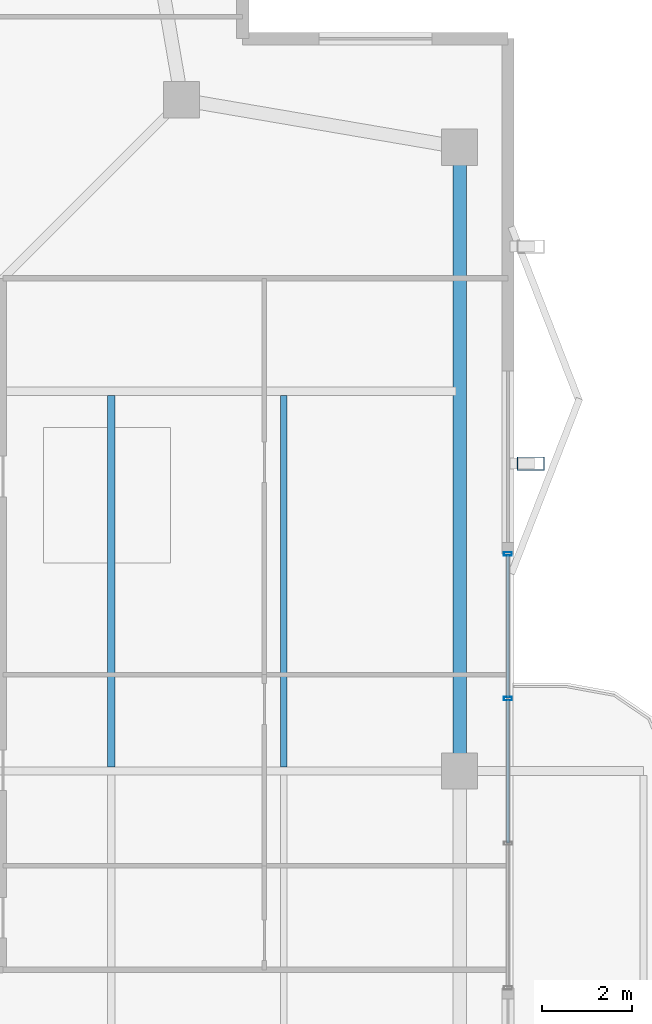
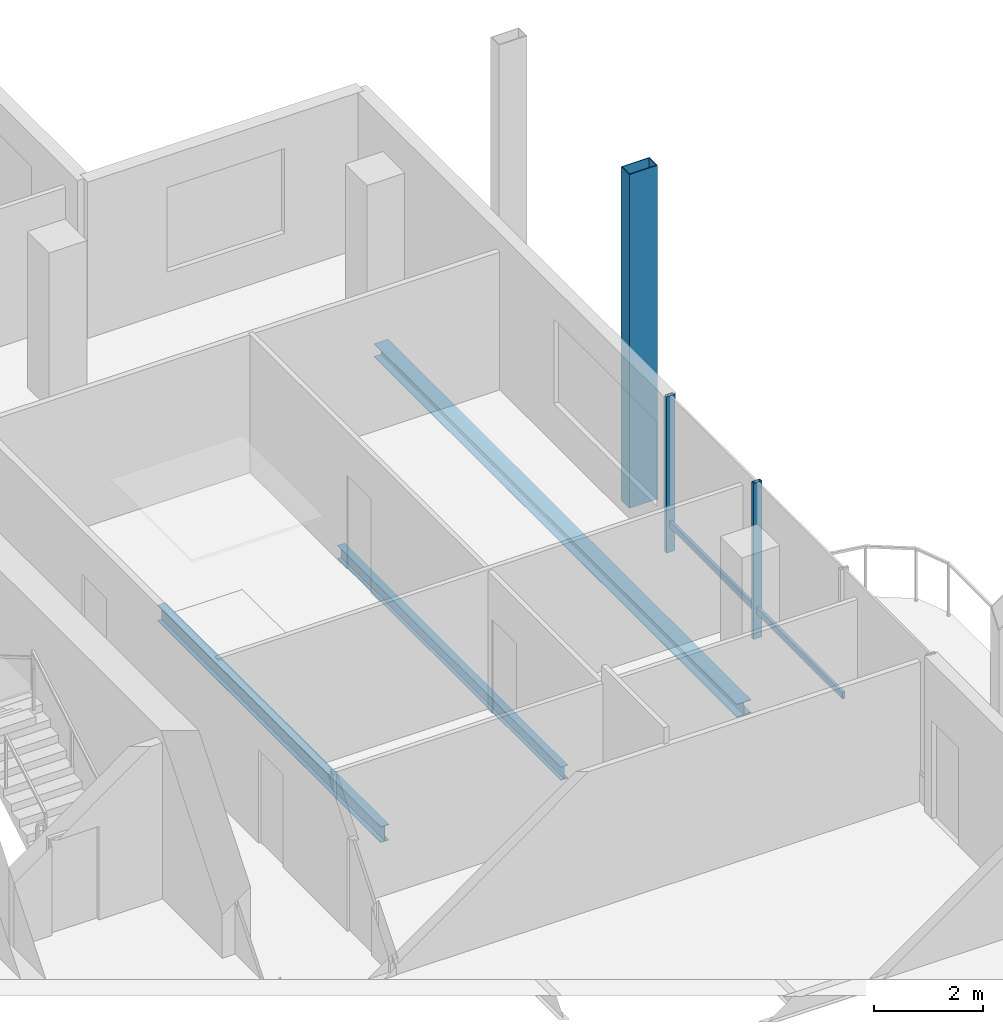
# One storey, part 10 of 22: 5 members, 3 beams, 1 element without a shape of its own.
"""IFC4 building model written with IfcOpenShell, lengths in metres."""

from ifc_helpers import new_model, si_unit, direction, frame, origin, origin_2d, place, context, subcontext, project, spatial, hollow_rectangle, i_section, extrude, material, layer, layer_set, material_profile, profile_set, type_object, element, aggregate, save


model = new_model("IFC4")

# Units and contexts
model_context = context("Model", 3, precision=1e-05, world=origin(), true_north=direction((0.0, 1.0)))
body_context = subcontext(model_context, "Body", "Model", "MODEL_VIEW")
ifc_project = project(units=[si_unit("LENGTHUNIT", "METRE"), si_unit("AREAUNIT", "SQUARE_METRE"), si_unit("VOLUMEUNIT", "CUBIC_METRE"), si_unit("PLANEANGLEUNIT", "RADIAN"), si_unit("MASSUNIT", "GRAM", prefix="KILO")], contexts=[model_context])

# Site, building, storey
site_placement = place(None, origin())
site = spatial("IfcSite", under=ifc_project, at=site_placement, CompositionType="ELEMENT")
building_placement = place(site_placement, origin())
building = spatial("IfcBuilding", under=site, at=building_placement, Name="Belovzor Exchange Tower", CompositionType="ELEMENT")
storey_placement = place(building_placement, frame((0.0, 0.0, 336.75)))
storey = spatial("IfcBuildingStorey", under=building, at=storey_placement, Name="L84", CompositionType="ELEMENT", Elevation=336.75)

# Beams
ifc_material_1 = material(Name="Steel S355", Category="steel")
ifc_material_profile_1 = material_profile(ifc_material_1, i_section(OverallWidth=0.169921875, OverallDepth=0.360107421875, WebThickness=0.008056640625, FlangeThickness=0.0126953125, at=origin_2d()))
ifc_profile_set_1 = profile_set([ifc_material_profile_1], Name="Steel S355")
beam_type_1 = type_object("IfcBeamType", Name="Secondary Infill Floor Joist IPE 360", PredefinedType="BEAM", material=ifc_profile_set_1)
beam_1_placement = place(storey_placement, frame((42.093017578125, 28.889892578125, -0.419921875), z_axis=(0.0, 1.0, 0.0), x_axis=(-1.0, 0.0, 0.0)))
element("IfcBeam", 1, at=beam_1_placement, inside=storey, type_object=beam_type_1, Name="FJ-360 Secondary Infill Floor Joist IPE 360", PredefinedType="BEAM", context=body_context, shape_type="SweptSolid", body=[
    extrude(i_section(OverallWidth=0.169921875, OverallDepth=0.360107421875, WebThickness=0.008056640625, FlangeThickness=0.0126953125, at=origin_2d()), origin(), (0.0, 0.0, 1.0), 8.22021484375),
])
ifc_material_2 = material(Name="Steel S355", Category="steel")
ifc_material_profile_2 = material_profile(ifc_material_2, i_section(OverallWidth=0.14990234375, OverallDepth=0.300048828125, WebThickness=0.007080078125, FlangeThickness=0.0107421875, at=origin_2d()))
ifc_profile_set_2 = profile_set([ifc_material_profile_2], Name="Steel S355")
beam_type_2 = type_object("IfcBeamType", Name="Secondary Trim Floor Joist IPE 300", PredefinedType="BEAM", material=ifc_profile_set_2)
beam_2_placement = place(storey_placement, frame((45.908935546875, 28.889892578125, -0.389892578125), z_axis=(0.0, 1.0, 0.0), x_axis=(-1.0, 0.0, 0.0)))
element("IfcBeam", 2, at=beam_2_placement, inside=storey, type_object=beam_type_2, Name="FJ-300 Secondary Trim Floor Joist IPE 300", PredefinedType="BEAM", context=body_context, shape_type="SweptSolid", body=[
    extrude(i_section(OverallWidth=0.14990234375, OverallDepth=0.300048828125, WebThickness=0.007080078125, FlangeThickness=0.0107421875, at=origin_2d()), origin(), (0.0, 0.0, 1.0), 8.22021484375),
])

# Curtain wall, members
ifc_material_3 = material(Name="Anodised Aluminium Framing", Category="aluminium")
ifc_layer = layer(ifc_material_3, 0.179931640625)
ifc_layer_set = layer_set([ifc_layer], Name="Anodised Aluminium Framing")
curtain_wall_type = type_object("IfcCurtainWallType", Name="Recessed Loggia Low-Iron Triple-Glazed Curtain Wall", PredefinedType="NOTDEFINED", material=ifc_layer_set)
curtain_wall_placement = place(storey_placement, origin())
curtain_wall = element("IfcCurtainWall", 3, at=curtain_wall_placement, inside=storey, type_object=curtain_wall_type, Name="CW3 Recessed Loggia Low-Iron Triple-Glazed Curtain Wall L84", PredefinedType="NOTDEFINED")
ifc_material_4 = material(Name="Steel S355", Category="steel")
ifc_material_profile_3 = material_profile(ifc_material_4, hollow_rectangle(XDim=0.074951171875, YDim=0.179931640625, WallThickness=0.0048828125, at=origin_2d()))
ifc_profile_set_3 = profile_set([ifc_material_profile_3], Name="Steel S355")
member_type_1 = type_object("IfcMemberType", Name="Thermally Broken Curtain Wall Mullion 180x75", PredefinedType="MULLION", material=ifc_profile_set_3)
member_1_placement = place(storey_placement, frame((50.8701171875, 33.60009765625, 0.0), z_axis=(0.0, 0.0, 1.0), x_axis=(0.0, -1.0, 0.0)))
member_1 = element("IfcMember", 4, at=member_1_placement, type_object=member_type_1, Name="CW-M180 Curtain Wall Mullion 1", PredefinedType="MULLION", context=body_context, shape_type="SweptSolid", body=[
    extrude(hollow_rectangle(XDim=0.074951171875, YDim=0.179931640625, WallThickness=0.0048828125, at=origin_2d()), origin(), (0.0, 0.0, 1.0), 3.510009765625),
])
member_2_placement = place(storey_placement, frame((50.8701171875, 30.39990234375, 0.0), z_axis=(0.0, 0.0, 1.0), x_axis=(0.0, -1.0, 0.0)))
member_2 = element("IfcMember", 5, at=member_2_placement, type_object=member_type_1, Name="CW-M180 Curtain Wall Mullion 2", PredefinedType="MULLION", context=body_context, shape_type="SweptSolid", body=[
    extrude(hollow_rectangle(XDim=0.074951171875, YDim=0.179931640625, WallThickness=0.0048828125, at=origin_2d()), origin(), (0.0, 0.0, 1.0), 3.510009765625),
])
ifc_material_5 = material(Name="Steel S355", Category="steel")
ifc_material_profile_4 = material_profile(ifc_material_5, hollow_rectangle(XDim=0.06005859375, YDim=0.14990234375, WallThickness=0.00390625, at=origin_2d()))
ifc_profile_set_4 = profile_set([ifc_material_profile_4], Name="Steel S355")
member_type_2 = type_object("IfcMemberType", Name="Thermally Broken Curtain Wall Transom 150x60", PredefinedType="USERDEFINED", material=ifc_profile_set_4)
member_3_placement = place(storey_placement, frame((50.8701171875, 33.592041015625, 0.632080078125), z_axis=(0.0, -1.0, 0.0), x_axis=(1.0, 0.0, 0.0)))
member_3 = element("IfcMember", 6, at=member_3_placement, type_object=member_type_2, Name="CW-T150 Curtain Wall Transom 1", ObjectType="TRANSOM", PredefinedType="USERDEFINED", context=body_context, shape_type="SweptSolid", body=[
    extrude(hollow_rectangle(XDim=0.06005859375, YDim=0.14990234375, WallThickness=0.00390625, at=origin_2d()), origin(), (0.0, 0.0, 1.0), 3.18408203125),
])
member_4_placement = place(storey_placement, frame((50.8701171875, 30.39208984375, 0.632080078125), z_axis=(0.0, -1.0, 0.0), x_axis=(1.0, 0.0, 0.0)))
member_4 = element("IfcMember", 7, at=member_4_placement, type_object=member_type_2, Name="CW-T150 Curtain Wall Transom 2", ObjectType="TRANSOM", PredefinedType="USERDEFINED", context=body_context, shape_type="SweptSolid", body=[
    extrude(hollow_rectangle(XDim=0.06005859375, YDim=0.14990234375, WallThickness=0.00390625, at=origin_2d()), origin(), (0.0, 0.0, 1.0), 3.18408203125),
])
aggregate(curtain_wall, [member_1, member_2, member_3, member_4])

# Member
ifc_material_6 = material(Name="Extruded Architectural Terracotta on Steel S355 Carrier", Category="masonry")
ifc_material_profile_5 = material_profile(ifc_material_6, hollow_rectangle(XDim=0.300048828125, YDim=0.60009765625, WallThickness=0.01611328125, at=origin_2d()))
ifc_profile_set_5 = profile_set([ifc_material_profile_5], Name="Extruded Architectural Terracotta on Steel S355 Carrier")
member_type_3 = type_object("IfcMemberType", Name="Upper Crown Terracotta Fin Assembly 550", PredefinedType="USERDEFINED", material=ifc_profile_set_5)
member_5_placement = place(storey_placement, frame((51.375, 35.60009765625, -0.239990234375), z_axis=(0.0, 0.0, 1.0), x_axis=(0.0, 1.0, 0.0)))
element("IfcMember", 8, at=member_5_placement, inside=storey, type_object=member_type_3, Name="FIN-TC055 Terracotta Facade Fin L84 E3", ObjectType="FIN", PredefinedType="USERDEFINED", context=body_context, shape_type="SweptSolid", body=[
    extrude(hollow_rectangle(XDim=0.300048828125, YDim=0.60009765625, WallThickness=0.01611328125, at=origin_2d()), origin(), (0.0, 0.0, 1.0), 7.5),
])

# Beam
ifc_material_7 = material(Name="Steel S355", Category="steel")
ifc_material_profile_6 = material_profile(ifc_material_7, i_section(OverallWidth=0.300048828125, OverallDepth=0.300048828125, WebThickness=0.008544921875, FlangeThickness=0.013916015625, at=origin_2d()))
ifc_profile_set_6 = profile_set([ifc_material_profile_6], Name="Steel S355")
beam_type_3 = type_object("IfcBeamType", Name="Zone 6 Primary Girder HEA 300", PredefinedType="BEAM", material=ifc_profile_set_6)
beam_3_placement = place(storey_placement, frame((49.800048828125, 29.02001953125, -0.389892578125), z_axis=(0.0, 1.0, 0.0), x_axis=(-1.0, 0.0, 0.0)))
element("IfcBeam", 9, at=beam_3_placement, inside=storey, type_object=beam_type_3, Name="FG-Z6 Zone 6 Primary Girder HEA 300", PredefinedType="BEAM", context=body_context, shape_type="SweptSolid", body=[
    extrude(i_section(OverallWidth=0.300048828125, OverallDepth=0.300048828125, WebThickness=0.008544921875, FlangeThickness=0.013916015625, at=origin_2d()), origin(), (0.0, 0.0, 1.0), 13.35986328125),
])

save(model, "model.ifc")
